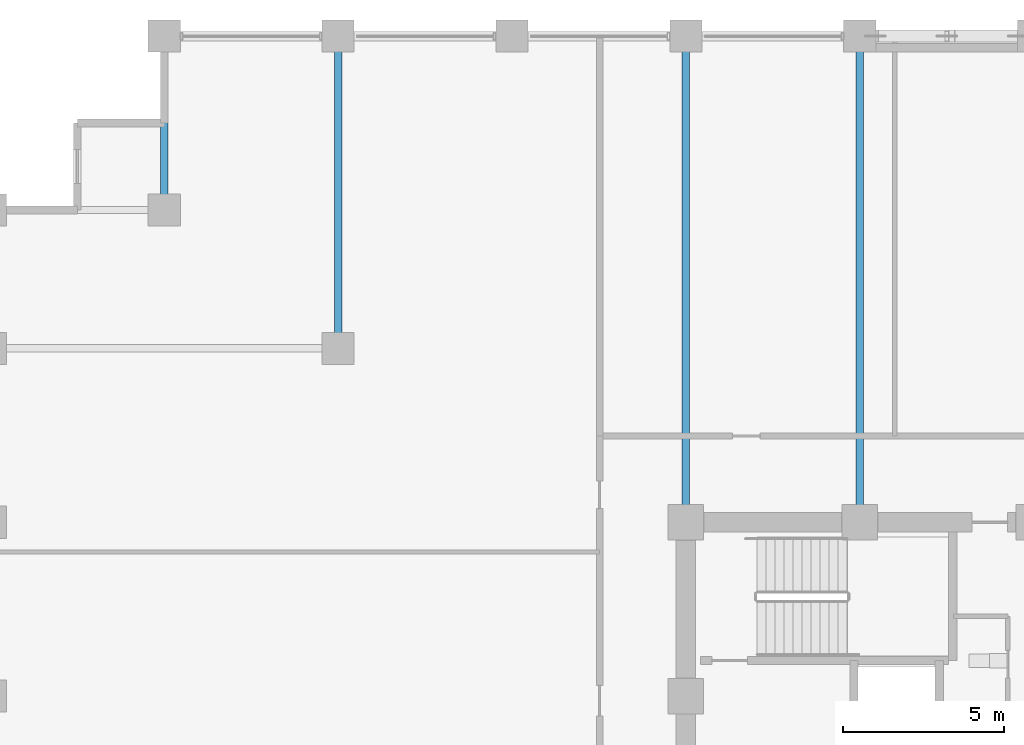
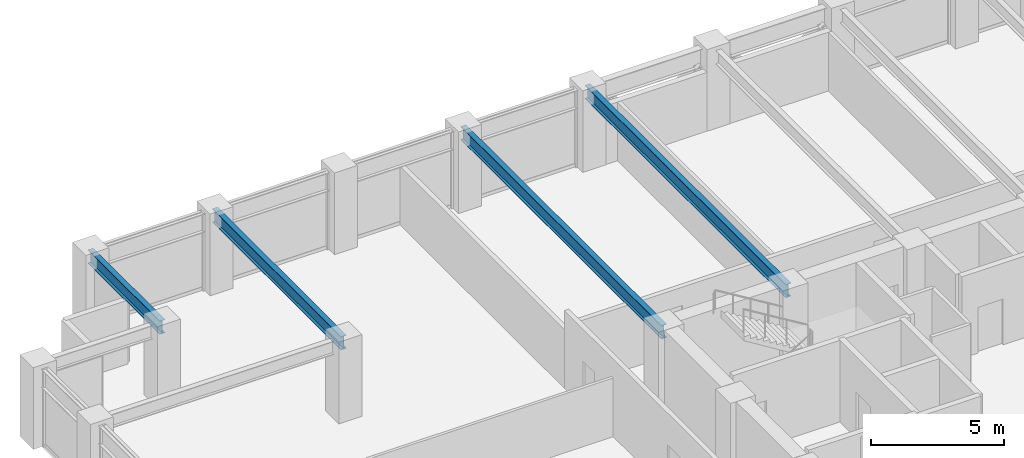
# One storey, part 11 of 23: 4 beams.
"""IFC4 building model written with IfcOpenShell, lengths in metres."""

from ifc_helpers import new_model, si_unit, direction, frame, origin, origin_2d, place, context, subcontext, project, spatial, i_section, extrude, material, material_profile, profile_set, type_object, element, save


model = new_model("IFC4")

# Units and contexts
model_context = context("Model", 3, precision=1e-05, world=origin(), true_north=direction((0.0, 1.0)))
body_context = subcontext(model_context, "Body", "Model", "MODEL_VIEW")
ifc_project = project(units=[si_unit("LENGTHUNIT", "METRE"), si_unit("AREAUNIT", "SQUARE_METRE"), si_unit("VOLUMEUNIT", "CUBIC_METRE"), si_unit("PLANEANGLEUNIT", "RADIAN"), si_unit("MASSUNIT", "GRAM", prefix="KILO")], contexts=[model_context])

# Site, building, storey
site_placement = place(None, origin())
site = spatial("IfcSite", under=ifc_project, at=site_placement, CompositionType="ELEMENT")
building_placement = place(site_placement, origin())
building = spatial("IfcBuilding", under=site, at=building_placement, Name="Surkhivell Harbour Commons", CompositionType="ELEMENT")
storey_placement = place(building_placement, frame((0.0, 0.0, 132.0)))
storey = spatial("IfcBuildingStorey", under=building, at=storey_placement, Name="L34", CompositionType="ELEMENT", Elevation=132.0)

# Beams
ifc_material = material(Name="Steel S355", Category="steel")
ifc_material_profile = material_profile(ifc_material, i_section(OverallWidth=0.22998046875, OverallDepth=0.616943359375, WebThickness=0.01318359375, FlangeThickness=0.022216796875, at=origin_2d()), Name="UB610x229x140")
ifc_profile_set = profile_set([ifc_material_profile], Name="Steel S355")
beam_type = type_object("IfcBeamType", Name="BM-GRD-610B", PredefinedType="BEAM", material=ifc_profile_set)
beam_1_placement = place(storey_placement, frame((-27.0, 20.5, 3.261474609375), z_axis=(0.0, 1.0, 0.0), x_axis=(-1.0, 0.0, 0.0)))
element("IfcBeam", 1, at=beam_1_placement, inside=storey, type_object=beam_type, Name="L34 Floor Girder (-27.0,20.5)", PredefinedType="BEAM", context=body_context, shape_type="SweptSolid", body=[
    extrude(i_section(OverallWidth=0.22998046875, OverallDepth=0.616943359375, WebThickness=0.01318359375, FlangeThickness=0.022216796875, at=origin_2d()), origin(), (0.0, 0.0, 1.0), 5.39990234375),
])
beam_2_placement = place(storey_placement, frame((-21.60009765625, 16.199951171875, 3.261474609375), z_axis=(0.0, 1.0, 0.0), x_axis=(-1.0, 0.0, 0.0)))
element("IfcBeam", 2, at=beam_2_placement, inside=storey, type_object=beam_type, Name="L34 Floor Girder (-21.6,16.2)", PredefinedType="BEAM", context=body_context, shape_type="SweptSolid", body=[
    extrude(i_section(OverallWidth=0.22998046875, OverallDepth=0.616943359375, WebThickness=0.01318359375, FlangeThickness=0.022216796875, at=origin_2d()), origin(), (0.0, 0.0, 1.0), 9.699951171875),
])
for number, where, z_axis, x_axis, name in (
    (3, (-10.800048828125, 10.800048828125, 3.261474609375), (0.0, 1.0, 0.0), (-1.0, 0.0, 0.0), "L34 Floor Girder (-10.8,10.8)"),
    (4, (-5.39990234375, 10.800048828125, 3.261474609375), (0.0, 1.0, 0.0), (-1.0, 0.0, 0.0), "L34 Floor Girder (-5.4,10.8)"),
):
    element("IfcBeam", number, at=place(storey_placement, frame(where, z_axis=z_axis, x_axis=x_axis)), inside=storey, type_object=beam_type, Name=name, PredefinedType="BEAM", context=body_context, shape_type="SweptSolid", body=[
        extrude(i_section(OverallWidth=0.22998046875, OverallDepth=0.616943359375, WebThickness=0.01318359375, FlangeThickness=0.022216796875, at=origin_2d()), origin(), (0.0, 0.0, 1.0), 15.099853515625),
    ])

save(model, "model.ifc")
